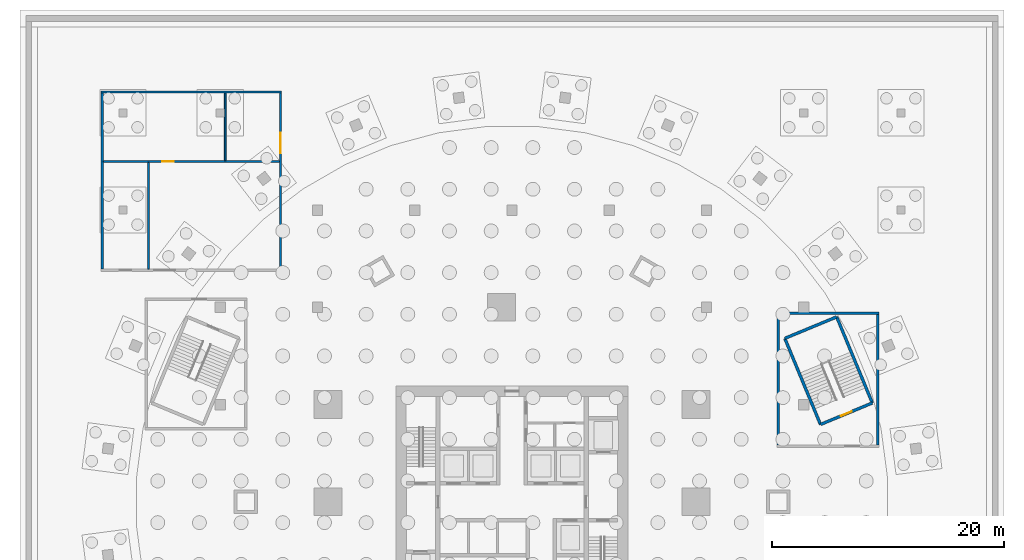
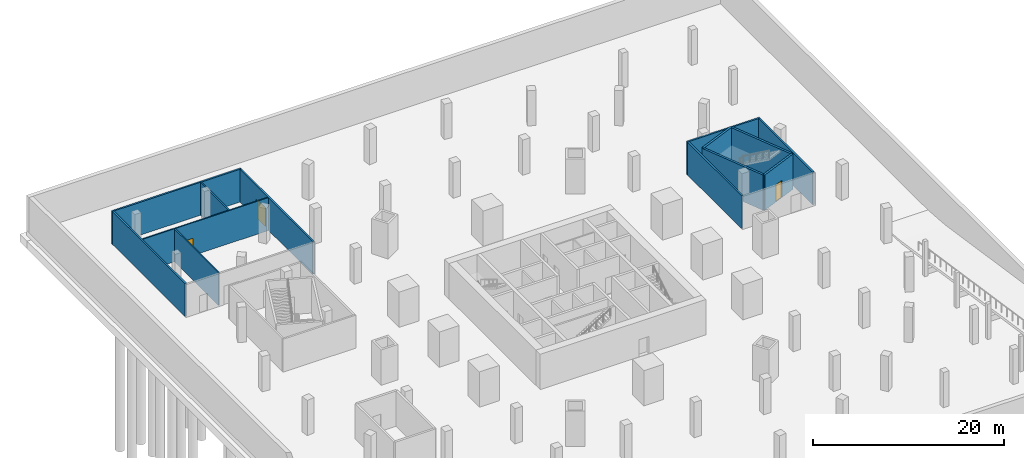
# One storey, part 8 of 12: 13 walls, 3 doors, 3 openings.
"""IFC4 building model written with IfcOpenShell, lengths in metres."""

from ifc_helpers import new_model, si_unit, direction, frame, frame_2d, origin, place, context, subcontext, project, spatial, rectangle, extrude, material, layer, layer_set, type_object, element, fill, save


model = new_model("IFC4")

# Units and contexts
model_context = context("Model", 3, precision=1e-05, world=origin(), true_north=direction((0.0, 1.0)))
body_context = subcontext(model_context, "Body", "Model", "MODEL_VIEW")
ifc_project = project(units=[si_unit("LENGTHUNIT", "METRE"), si_unit("AREAUNIT", "SQUARE_METRE"), si_unit("VOLUMEUNIT", "CUBIC_METRE"), si_unit("PLANEANGLEUNIT", "RADIAN"), si_unit("MASSUNIT", "GRAM", prefix="KILO")], contexts=[model_context])

# Site, building, storey
site_placement = place(None, origin())
site = spatial("IfcSite", under=ifc_project, at=site_placement, CompositionType="ELEMENT")
building_placement = place(site_placement, origin())
building = spatial("IfcBuilding", under=site, at=building_placement, Name="Golbaran Civic Tower", CompositionType="ELEMENT")
storey_placement = place(building_placement, frame((0.0, 0.0, -13.5)))
storey = spatial("IfcBuildingStorey", under=building, at=storey_placement, Name="B3", CompositionType="ELEMENT", Elevation=-13.5)

# Wall, opening, door
ifc_material_1 = material(Name="Concrete block, fire-rated", Category="concrete")
ifc_layer_1 = layer(ifc_material_1, 0.14990234375, Name="Concrete block, fire-rated")
ifc_layer_set_1 = layer_set([ifc_layer_1], Name="Concrete block, fire-rated")
wall_type_1 = type_object("IfcWallType", Name="BASEMENT ROOM PARTITION 150", PredefinedType="PARTITIONING", material=ifc_layer_set_1)
wall_1_placement = place(storey_placement, frame((-35.300048828125, 29.39990234375, 0.0), z_axis=(0.0, 0.0, 1.0), x_axis=(1.0, 0.0, 0.0)))
wall_1 = element("IfcWall", 1, at=wall_1_placement, inside=storey, type_object=wall_type_1, Name="Basement room partition B3", PredefinedType="PARTITIONING", context=body_context, shape_type="SweptSolid", body=[
    extrude(rectangle(XDim=15.199951171875, YDim=0.14990234375, at=frame_2d((7.60009765625, 0.0))), origin(), (0.0, 0.0, 1.0), 4.199951171875),
])
opening_1_placement = place(wall_1_placement, frame((5.10009765625, 0.0, 0.0)))
opening_1 = element("IfcOpeningElement", 2, at=opening_1_placement, cuts=wall_1, Name="Opening B3.02", PredefinedType="OPENING", context=body_context, shape_type="SweptSolid", body=[
    extrude(rectangle(XDim=1.0, YDim=2.199951171875, at=frame_2d((0.5, 1.10009765625))), frame((0.0, 0.0849609375, 0.0), z_axis=(0.0, -1.0, 0.0), x_axis=(1.0, 0.0, 0.0)), (0.0, 0.0, 1.0), 0.169921875),
])
ifc_material_2 = material(Name="Steel door set, fire-rated", Category="steel")
door_type_1 = type_object("IfcDoorType", Name="BASEMENT ROOM DOOR 1000x2200", OperationType="SINGLE_SWING_LEFT", PredefinedType="DOOR", material=ifc_material_2)
door_1_placement = place(opening_1_placement, origin())
door_1 = element("IfcDoor", 3, at=door_1_placement, inside=storey, type_object=door_type_1, Name="Water Tank Room door B3", OperationType="SINGLE_SWING_LEFT", OverallHeight=2.199951171875, OverallWidth=1.0, PredefinedType="DOOR", context=body_context, shape_type="SweptSolid", body=[
    extrude(rectangle(XDim=1.0, YDim=2.199951171875, at=frame_2d((0.5, 1.10009765625))), frame((0.0, 0.02490234375, 0.0), z_axis=(0.0, -1.0, 0.0), x_axis=(1.0, 0.0, 0.0)), (0.0, 0.0, 1.0), 0.050048828125),
])
fill(opening_1, door_1)

# Walls
wall_2_placement = place(storey_placement, frame((-31.39990234375, 20.10009765625, 0.0), z_axis=(0.0, 0.0, 1.0), x_axis=(0.0, 1.0, 0.0)))
element("IfcWall", 4, at=wall_2_placement, inside=storey, type_object=wall_type_1, Name="Basement room partition B3", PredefinedType="PARTITIONING", context=body_context, shape_type="SweptSolid", body=[
    extrude(rectangle(XDim=9.224853515625, YDim=0.14990234375, at=frame_2d((4.6123046875, 0.0))), origin(), (0.0, 0.0, 1.0), 4.199951171875),
])
wall_3_placement = place(storey_placement, frame((-24.77490234375, 29.47509765625, 0.0), z_axis=(0.0, 0.0, 1.0), x_axis=(0.0, 1.0, 0.0)))
element("IfcWall", 5, at=wall_3_placement, inside=storey, type_object=wall_type_1, Name="Basement room partition B3", PredefinedType="PARTITIONING", context=body_context, shape_type="SweptSolid", body=[
    extrude(rectangle(XDim=5.824951171875, YDim=0.14990234375, at=frame_2d((2.91259765625, 0.0))), origin(), (0.0, 0.0, 1.0), 4.199951171875),
])

# Wall, opening, door
ifc_layer_2 = layer(ifc_material_1, 0.199951171875, Name="Concrete block, fire-rated")
ifc_layer_set_2 = layer_set([ifc_layer_2], Name="Concrete block, fire-rated")
wall_type_2 = type_object("IfcWallType", Name="BASEMENT ROOM WALL 200", PredefinedType="PARTITIONING", material=ifc_layer_set_2)
wall_4_placement = place(storey_placement, frame((-20.0, 20.10009765625, 0.0), z_axis=(0.0, 0.0, 1.0), x_axis=(0.0, 1.0, 0.0)))
wall_4 = element("IfcWall", 6, at=wall_4_placement, inside=storey, type_object=wall_type_2, Name="Main Plant Room wall B3", PredefinedType="PARTITIONING", context=body_context, shape_type="SweptSolid", body=[
    extrude(rectangle(XDim=15.199951171875, YDim=0.199951171875, at=frame_2d((7.60009765625, 0.0))), origin(), (0.0, 0.0, 1.0), 4.199951171875),
])
opening_2_placement = place(wall_4_placement, frame((10.0, 0.0, 0.0)))
opening_2 = element("IfcOpeningElement", 7, at=opening_2_placement, cuts=wall_4, Name="Opening B3.01", PredefinedType="OPENING", context=body_context, shape_type="SweptSolid", body=[
    extrude(rectangle(XDim=1.800048828125, YDim=2.39990234375, at=frame_2d((0.89990234375, 1.199951171875))), frame((0.0, 0.10986328125, 0.0), z_axis=(0.0, -1.0, 0.0), x_axis=(1.0, 0.0, 0.0)), (0.0, 0.0, 1.0), 0.219970703125),
])
door_type_2 = type_object("IfcDoorType", Name="BASEMENT ROOM DOUBLE DOOR 1800x2400", OperationType="DOUBLE_DOOR_SINGLE_SWING", PredefinedType="DOOR", material=ifc_material_2)
door_2_placement = place(opening_2_placement, origin())
door_2 = element("IfcDoor", 8, at=door_2_placement, inside=storey, type_object=door_type_2, Name="Electrical Switch Room door B3", OperationType="DOUBLE_DOOR_SINGLE_SWING", OverallHeight=2.39990234375, OverallWidth=1.800048828125, PredefinedType="DOOR", context=body_context, shape_type="SweptSolid", body=[
    extrude(rectangle(XDim=1.800048828125, YDim=2.39990234375, at=frame_2d((0.89990234375, 1.199951171875))), frame((0.0, 0.02490234375, 0.0), z_axis=(0.0, -1.0, 0.0), x_axis=(1.0, 0.0, 0.0)), (0.0, 0.0, 1.0), 0.050048828125),
])
fill(opening_2, door_2)

# Walls
wall_5_placement = place(storey_placement, frame((-19.89990234375, 35.39990234375, 0.0), z_axis=(0.0, 0.0, 1.0), x_axis=(-1.0, 0.0, 0.0)))
element("IfcWall", 9, at=wall_5_placement, inside=storey, type_object=wall_type_2, Name="Main Plant Room wall B3", PredefinedType="PARTITIONING", context=body_context, shape_type="SweptSolid", body=[
    extrude(rectangle(XDim=15.60009765625, YDim=0.199951171875, at=frame_2d((7.800048828125, 0.0))), origin(), (0.0, 0.0, 1.0), 4.199951171875),
])
wall_6_placement = place(storey_placement, frame((-35.39990234375, 35.300048828125, 0.0), z_axis=(0.0, 0.0, 1.0), x_axis=(0.0, -1.0, 0.0)))
element("IfcWall", 10, at=wall_6_placement, inside=storey, type_object=wall_type_2, Name="Main Plant Room wall B3", PredefinedType="PARTITIONING", context=body_context, shape_type="SweptSolid", body=[
    extrude(rectangle(XDim=15.199951171875, YDim=0.199951171875, at=frame_2d((7.60009765625, 0.0))), origin(), (0.0, 0.0, 1.0), 4.199951171875),
])

# Wall, opening, door
ifc_material_3 = material(Name="Concrete C50/60", Category="concrete")
ifc_layer_3 = layer(ifc_material_3, 0.25, Name="Concrete C50/60")
ifc_layer_set_3 = layer_set([ifc_layer_3], Name="Concrete C50/60")
wall_type_3 = type_object("IfcWallType", Name="STAIR ENCLOSURE WALL CONCRETE 250", PredefinedType="SOLIDWALL", material=ifc_layer_set_3)
wall_7_placement = place(storey_placement, frame((31.12744140625, 8.536865234375, 0.0), z_axis=(0.0, 0.0, 1.0), x_axis=(-0.923880627248, -0.382680789426, 0.0)))
wall_7 = element("IfcWall", 11, at=wall_7_placement, inside=storey, type_object=wall_type_3, Name="Stair P1 enclosure A B3", PredefinedType="SOLIDWALL", context=body_context, shape_type="SweptSolid", body=[
    extrude(rectangle(XDim=4.849853515625, YDim=0.25, at=frame_2d((2.4248046875, 0.0))), origin(), (0.0, 0.0, 1.0), 4.5),
])
opening_3_placement = place(wall_7_placement, frame((1.925048828125, 0.0, 0.0)))
opening_3 = element("IfcOpeningElement", 12, at=opening_3_placement, cuts=wall_7, Name="Opening B3.P1", PredefinedType="OPENING", context=body_context, shape_type="SweptSolid", body=[
    extrude(rectangle(XDim=1.0, YDim=2.199951171875, at=frame_2d((0.5, 1.10009765625))), frame((0.0, 0.135009765625, 0.0), z_axis=(0.0, -1.0, 0.0), x_axis=(1.0, 0.0, 0.0)), (0.0, 0.0, 1.0), 0.27001953125),
])
ifc_material_4 = material(Name="Timber door set in steel frame", Category="steel")
door_type_3 = type_object("IfcDoorType", Name="STAIR DOOR 1000x2200", OperationType="SINGLE_SWING_LEFT", PredefinedType="DOOR", material=ifc_material_4)
door_3_placement = place(opening_3_placement, origin())
door_3 = element("IfcDoor", 13, at=door_3_placement, inside=storey, type_object=door_type_3, Name="Stair P1 door", OperationType="SINGLE_SWING_RIGHT", OverallHeight=2.199951171875, OverallWidth=1.0, PredefinedType="DOOR", context=body_context, shape_type="SweptSolid", body=[
    extrude(rectangle(XDim=1.0, YDim=2.199951171875, at=frame_2d((0.5, 1.10009765625))), frame((0.0, 0.02490234375, 0.0), z_axis=(0.0, -1.0, 0.0), x_axis=(1.0, 0.0, 0.0)), (0.0, 0.0, 1.0), 0.050048828125),
])
fill(opening_3, door_3)

# Walls
wall_8_placement = place(storey_placement, frame((26.646728515625, 6.680908203125, 0.0), z_axis=(0.0, 0.0, 1.0), x_axis=(-0.382689294869, 0.923877104161, 0.0)))
element("IfcWall", 14, at=wall_8_placement, inside=storey, type_object=wall_type_3, Name="Stair P1 enclosure B B3", PredefinedType="SOLIDWALL", context=body_context, shape_type="SweptSolid", body=[
    extrude(rectangle(XDim=8.0498046875, YDim=0.25, at=frame_2d((4.02490234375, 0.0))), origin(), (0.0, 0.0, 1.0), 4.5),
])
wall_9_placement = place(storey_placement, frame((23.566162109375, 14.117919921875, 0.0), z_axis=(0.0, 0.0, 1.0), x_axis=(0.923862828997, 0.382723755727, 0.0)))
element("IfcWall", 15, at=wall_9_placement, inside=storey, type_object=wall_type_3, Name="Stair P1 enclosure C B3", PredefinedType="SOLIDWALL", context=body_context, shape_type="SweptSolid", body=[
    extrude(rectangle(XDim=4.85009765625, YDim=0.25, at=frame_2d((2.425048828125, 0.0))), origin(), (0.0, 0.0, 1.0), 4.5),
])
wall_10_placement = place(storey_placement, frame((28.046875, 15.97412109375, 0.0), z_axis=(0.0, 0.0, 1.0), x_axis=(0.382678572144, -0.923881545666, 0.0)))
element("IfcWall", 16, at=wall_10_placement, inside=storey, type_object=wall_type_3, Name="Stair P1 enclosure D B3", PredefinedType="SOLIDWALL", context=body_context, shape_type="SweptSolid", body=[
    extrude(rectangle(XDim=8.050048828125, YDim=0.25, at=frame_2d((4.02490234375, 0.0))), origin(), (0.0, 0.0, 1.0), 4.5),
])
ifc_material_5 = material(Name="Reinforced blockwork, fire-rated", Category="masonry")
ifc_layer_4 = layer(ifc_material_5, 0.199951171875, Name="Reinforced blockwork, fire-rated")
ifc_layer_set_4 = layer_set([ifc_layer_4], Name="Reinforced blockwork, fire-rated")
wall_type_4 = type_object("IfcWallType", Name="STAIR LOBBY WALL 200", PredefinedType="PARTITIONING", material=ifc_layer_set_4)
wall_11_placement = place(storey_placement, frame((31.60009765625, 4.89990234375, 0.0), z_axis=(0.0, 0.0, 1.0), x_axis=(0.0, 1.0, 0.0)))
element("IfcWall", 17, at=wall_11_placement, inside=storey, type_object=wall_type_4, Name="Stair P1 lobby wall B3", PredefinedType="PARTITIONING", context=body_context, shape_type="SweptSolid", body=[
    extrude(rectangle(XDim=11.300048828125, YDim=0.199951171875, at=frame_2d((5.64990234375, 0.0))), origin(), (0.0, 0.0, 1.0), 4.199951171875),
])
wall_12_placement = place(storey_placement, frame((31.699951171875, 16.300048828125, 0.0), z_axis=(0.0, 0.0, 1.0), x_axis=(-1.0, 0.0, 0.0)))
element("IfcWall", 18, at=wall_12_placement, inside=storey, type_object=wall_type_4, Name="Stair P1 lobby wall B3", PredefinedType="PARTITIONING", context=body_context, shape_type="SweptSolid", body=[
    extrude(rectangle(XDim=8.800048828125, YDim=0.199951171875, at=frame_2d((4.39990234375, 0.0))), origin(), (0.0, 0.0, 1.0), 4.199951171875),
])
wall_13_placement = place(storey_placement, frame((23.0, 16.199951171875, 0.0), z_axis=(0.0, 0.0, 1.0), x_axis=(0.0, -1.0, 0.0)))
element("IfcWall", 19, at=wall_13_placement, inside=storey, type_object=wall_type_4, Name="Stair P1 lobby wall B3", PredefinedType="PARTITIONING", context=body_context, shape_type="SweptSolid", body=[
    extrude(rectangle(XDim=11.300048828125, YDim=0.199951171875, at=frame_2d((5.64990234375, 0.0))), origin(), (0.0, 0.0, 1.0), 4.199951171875),
])

save(model, "model.ifc")
